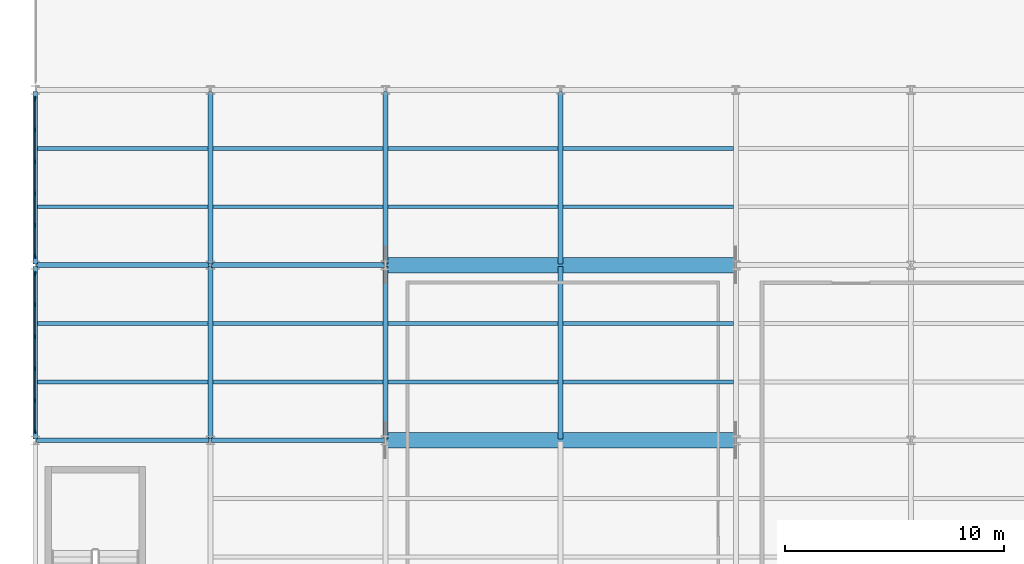
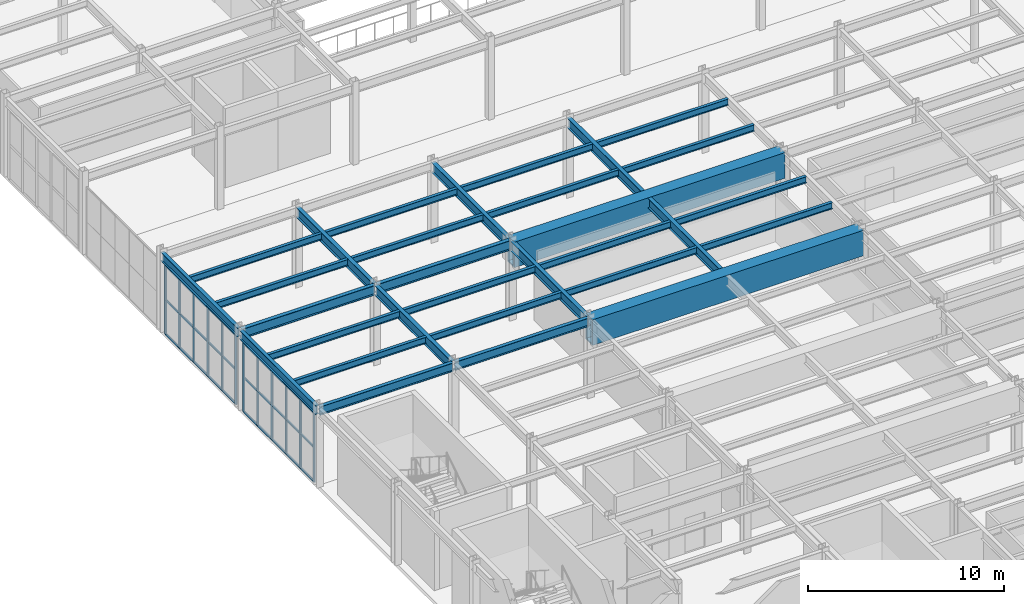
# One storey, part 24 of 77: 30 beams, 18 members, 2 elements without a shape of their own.
"""IFC4 building model written with IfcOpenShell, lengths in metres."""

from ifc_helpers import new_model, si_unit, direction, frame, origin, origin_2d, place, context, subcontext, project, spatial, rectangle, hollow_rectangle, i_section, extrude, material, material_profile, profile_set, type_object, element, aggregate, save


model = new_model("IFC4")

# Units and contexts
model_context = context("Model", 3, precision=1e-05, world=origin(), true_north=direction((0.0, 1.0)))
body_context = subcontext(model_context, "Body", "Model", "MODEL_VIEW")
ifc_project = project(units=[si_unit("LENGTHUNIT", "METRE"), si_unit("AREAUNIT", "SQUARE_METRE"), si_unit("VOLUMEUNIT", "CUBIC_METRE"), si_unit("PLANEANGLEUNIT", "RADIAN"), si_unit("MASSUNIT", "GRAM", prefix="KILO")], contexts=[model_context])

# Site, building, storey
site_placement = place(None, origin())
site = spatial("IfcSite", under=ifc_project, at=site_placement, CompositionType="ELEMENT")
building_placement = place(site_placement, origin())
building = spatial("IfcBuilding", under=site, at=building_placement, Name="Drelvath Fold Interchange", CompositionType="ELEMENT")
storey_placement = place(building_placement, frame((0.0, 0.0, 6.0)))
storey = spatial("IfcBuildingStorey", under=building, at=storey_placement, Name="L01", CompositionType="ELEMENT", Elevation=6.0)

# Beams
ifc_material_1 = material(Name="Steel ASTM A992 Grade 50", Category="steel")
ifc_material_profile_1 = material_profile(ifc_material_1, i_section(OverallWidth=0.177978515625, OverallDepth=0.403076171875, WebThickness=0.007568359375, FlangeThickness=0.010986328125, at=origin_2d()), Name="W16X36")
ifc_profile_set_1 = profile_set([ifc_material_profile_1], Name="Steel ASTM A992 Grade 50")
beam_type_1 = type_object("IfcBeamType", Name="BM-W16X36", PredefinedType="JOIST", material=ifc_profile_set_1)
for number, where, z_axis, x_axis, name in (
    (1, (4.10302734375, 37.6669921875, 4.748046875), (1.0, 0.0, 0.0), (0.0, 1.0, 0.0), "L01 Secondary floor joist BM-W16X36"),
    (2, (4.10302734375, 40.3330078125, 4.748046875), (1.0, 0.0, 0.0), (0.0, 1.0, 0.0), "L01 Secondary floor joist BM-W16X36"),
    (3, (4.10302734375, 45.6669921875, 4.748046875), (1.0, 0.0, 0.0), (0.0, 1.0, 0.0), "L01 Secondary floor joist BM-W16X36"),
    (4, (4.10302734375, 48.3330078125, 4.748046875), (1.0, 0.0, 0.0), (0.0, 1.0, 0.0), "L01 Secondary floor joist BM-W16X36"),
):
    element("IfcBeam", number, at=place(storey_placement, frame(where, z_axis=z_axis, x_axis=x_axis)), inside=storey, type_object=beam_type_1, Name=name, PredefinedType="JOIST", context=body_context, shape_type="SweptSolid", body=[
        extrude(i_section(OverallWidth=0.177978515625, OverallDepth=0.403076171875, WebThickness=0.007568359375, FlangeThickness=0.010986328125, at=origin_2d()), origin(), (0.0, 0.0, 1.0), 7.783935546875),
    ])
for number, where, z_axis, x_axis, name in (
    (5, (12.113037109375, 37.6669921875, 4.748046875), (1.0, 0.0, 0.0), (0.0, 1.0, 0.0), "L01 Secondary floor joist BM-W16X36"),
    (6, (12.113037109375, 40.3330078125, 4.748046875), (1.0, 0.0, 0.0), (0.0, 1.0, 0.0), "L01 Secondary floor joist BM-W16X36"),
    (7, (12.113037109375, 45.6669921875, 4.748046875), (1.0, 0.0, 0.0), (0.0, 1.0, 0.0), "L01 Secondary floor joist BM-W16X36"),
    (8, (12.113037109375, 48.3330078125, 4.748046875), (1.0, 0.0, 0.0), (0.0, 1.0, 0.0), "L01 Secondary floor joist BM-W16X36"),
    (9, (20.113037109375, 37.6669921875, 4.748046875), (1.0, 0.0, 0.0), (0.0, 1.0, 0.0), "L01 Secondary floor joist BM-W16X36"),
    (10, (20.113037109375, 40.3330078125, 4.748046875), (1.0, 0.0, 0.0), (0.0, 1.0, 0.0), "L01 Secondary floor joist BM-W16X36"),
    (11, (20.113037109375, 45.6669921875, 4.748046875), (1.0, 0.0, 0.0), (0.0, 1.0, 0.0), "L01 Secondary floor joist BM-W16X36"),
    (12, (20.113037109375, 48.3330078125, 4.748046875), (1.0, 0.0, 0.0), (0.0, 1.0, 0.0), "L01 Secondary floor joist BM-W16X36"),
    (13, (28.113037109375, 37.6669921875, 4.748046875), (1.0, 0.0, 0.0), (0.0, 1.0, 0.0), "L01 Secondary floor joist BM-W16X36"),
    (14, (28.113037109375, 40.3330078125, 4.748046875), (1.0, 0.0, 0.0), (0.0, 1.0, 0.0), "L01 Secondary floor joist BM-W16X36"),
    (15, (28.113037109375, 45.6669921875, 4.748046875), (1.0, 0.0, 0.0), (0.0, 1.0, 0.0), "L01 Secondary floor joist BM-W16X36"),
    (16, (28.113037109375, 48.3330078125, 4.748046875), (1.0, 0.0, 0.0), (0.0, 1.0, 0.0), "L01 Secondary floor joist BM-W16X36"),
):
    element("IfcBeam", number, at=place(storey_placement, frame(where, z_axis=z_axis, x_axis=x_axis)), inside=storey, type_object=beam_type_1, Name=name, PredefinedType="JOIST", context=body_context, shape_type="SweptSolid", body=[
        extrude(i_section(OverallWidth=0.177978515625, OverallDepth=0.403076171875, WebThickness=0.007568359375, FlangeThickness=0.010986328125, at=origin_2d()), origin(), (0.0, 0.0, 1.0), 7.77392578125),
    ])
ifc_material_profile_2 = material_profile(ifc_material_1, i_section(OverallWidth=0.2099609375, OverallDepth=0.537109375, WebThickness=0.010986328125, FlangeThickness=0.017333984375, at=origin_2d()), Name="W21X68")
ifc_profile_set_2 = profile_set([ifc_material_profile_2], Name="Steel ASTM A992 Grade 50")
beam_type_2 = type_object("IfcBeamType", Name="BM-W21X68", PredefinedType="SPANDREL", material=ifc_profile_set_2)
for number, where, z_axis, x_axis, name in (
    (17, (4.06005859375, 35.0, 4.680908203125), (1.0, 0.0, 0.0), (0.0, 1.0, 0.0), "L01 Primary X girder BM-W21X68"),
    (18, (12.06005859375, 35.0, 4.680908203125), (1.0, 0.0, 0.0), (0.0, 1.0, 0.0), "L01 Primary X girder BM-W21X68"),
    (19, (4.0, 35.06005859375, 4.680908203125), (0.0, 1.0, 0.0), (-1.0, 0.0, 0.0), "L01 Primary Y girder BM-W21X68"),
    (20, (4.0, 43.06005859375, 4.680908203125), (0.0, 1.0, 0.0), (-1.0, 0.0, 0.0), "L01 Primary Y girder BM-W21X68"),
):
    element("IfcBeam", number, at=place(storey_placement, frame(where, z_axis=z_axis, x_axis=x_axis)), inside=storey, type_object=beam_type_2, Name=name, PredefinedType="SPANDREL", context=body_context, shape_type="SweptSolid", body=[
        extrude(i_section(OverallWidth=0.2099609375, OverallDepth=0.537109375, WebThickness=0.010986328125, FlangeThickness=0.017333984375, at=origin_2d()), origin(), (0.0, 0.0, 1.0), 7.8798828125),
    ])
ifc_material_profile_3 = material_profile(ifc_material_1, i_section(OverallWidth=0.22998046875, OverallDepth=0.616943359375, WebThickness=0.01318359375, FlangeThickness=0.022216796875, at=origin_2d()), Name="W24X94")
ifc_profile_set_3 = profile_set([ifc_material_profile_3], Name="Steel ASTM A992 Grade 50")
beam_type_3 = type_object("IfcBeamType", Name="BM-W24X94", PredefinedType="BEAM", material=ifc_profile_set_3)
for number, where, z_axis, x_axis, name in (
    (21, (4.06005859375, 43.0, 4.64111328125), (1.0, 0.0, 0.0), (0.0, 1.0, 0.0), "L01 Primary X girder BM-W24X94"),
    (22, (12.06005859375, 43.0, 4.64111328125), (1.0, 0.0, 0.0), (0.0, 1.0, 0.0), "L01 Primary X girder BM-W24X94"),
    (23, (12.0, 35.06005859375, 4.64111328125), (0.0, 1.0, 0.0), (-1.0, 0.0, 0.0), "L01 Primary Y girder BM-W24X94"),
    (24, (12.0, 43.06005859375, 4.64111328125), (0.0, 1.0, 0.0), (-1.0, 0.0, 0.0), "L01 Primary Y girder BM-W24X94"),
    (25, (20.0, 35.06005859375, 4.64111328125), (0.0, 1.0, 0.0), (-1.0, 0.0, 0.0), "L01 Primary Y girder BM-W24X94"),
    (26, (20.0, 43.06005859375, 4.64111328125), (0.0, 1.0, 0.0), (-1.0, 0.0, 0.0), "L01 Primary Y girder BM-W24X94"),
    (27, (28.0, 35.06005859375, 4.64111328125), (0.0, 1.0, 0.0), (-1.0, 0.0, 0.0), "L01 Primary Y girder BM-W24X94"),
    (28, (28.0, 43.06005859375, 4.64111328125), (0.0, 1.0, 0.0), (-1.0, 0.0, 0.0), "L01 Primary Y girder BM-W24X94"),
):
    element("IfcBeam", number, at=place(storey_placement, frame(where, z_axis=z_axis, x_axis=x_axis)), inside=storey, type_object=beam_type_3, Name=name, PredefinedType="BEAM", context=body_context, shape_type="SweptSolid", body=[
        extrude(i_section(OverallWidth=0.22998046875, OverallDepth=0.616943359375, WebThickness=0.01318359375, FlangeThickness=0.022216796875, at=origin_2d()), origin(), (0.0, 0.0, 1.0), 7.8798828125),
    ])

# Curtain wall, members
ifc_material_2 = material(Name="Anodized Aluminium 6063-T6", Category="aluminium")
curtain_wall_type = type_object("IfcCurtainWallType", Name="CW-OPS-UPP", PredefinedType="USERDEFINED", material=ifc_material_2)
curtain_wall_1_placement = place(storey_placement, origin())
curtain_wall_1 = element("IfcCurtainWall", 29, at=curtain_wall_1_placement, inside=storey, type_object=curtain_wall_type, Name="Curtain wall CW-V5-L01-W35", ObjectType="UNITISED CURTAIN WALL", PredefinedType="USERDEFINED")
ifc_material_profile_4 = material_profile(ifc_material_2, rectangle(XDim=0.06005859375, YDim=0.175048828125, at=origin_2d()), Name="AL-M 60x175")
ifc_profile_set_4 = profile_set([ifc_material_profile_4], Name="Anodized Aluminium 6063-T6")
member_type_1 = type_object("IfcMemberType", Name="ML-175", PredefinedType="MULLION", material=ifc_profile_set_4)
member_1_placement = place(storey_placement, frame((4.0, 35.39990234375, 0.0), z_axis=(0.0, 0.0, 1.0), x_axis=(1.0, 0.0, 0.0)))
member_1 = element("IfcMember", 30, at=member_1_placement, type_object=member_type_1, Name="CW-V5-L01-W35 mullion 0", PredefinedType="MULLION", context=body_context, shape_type="SweptSolid", body=[
    extrude(rectangle(XDim=0.06005859375, YDim=0.175048828125, at=origin_2d()), origin(), (0.0, 0.0, 1.0), 4.300048828125),
])
member_2_placement = place(storey_placement, frame((4.0, 36.81591796875, 0.0), z_axis=(0.0, 0.0, 1.0), x_axis=(1.0, 0.0, 0.0)))
member_2 = element("IfcMember", 31, at=member_2_placement, type_object=member_type_1, Name="CW-V5-L01-W35 mullion 1", PredefinedType="MULLION", context=body_context, shape_type="SweptSolid", body=[
    extrude(rectangle(XDim=0.06005859375, YDim=0.175048828125, at=origin_2d()), origin(), (0.0, 0.0, 1.0), 4.300048828125),
])
member_3_placement = place(storey_placement, frame((4.0, 38.27197265625, 0.0), z_axis=(0.0, 0.0, 1.0), x_axis=(1.0, 0.0, 0.0)))
member_3 = element("IfcMember", 32, at=member_3_placement, type_object=member_type_1, Name="CW-V5-L01-W35 mullion 2", PredefinedType="MULLION", context=body_context, shape_type="SweptSolid", body=[
    extrude(rectangle(XDim=0.06005859375, YDim=0.175048828125, at=origin_2d()), origin(), (0.0, 0.0, 1.0), 4.300048828125),
])
member_4_placement = place(storey_placement, frame((4.0, 39.72802734375, 0.0), z_axis=(0.0, 0.0, 1.0), x_axis=(1.0, 0.0, 0.0)))
member_4 = element("IfcMember", 33, at=member_4_placement, type_object=member_type_1, Name="CW-V5-L01-W35 mullion 3", PredefinedType="MULLION", context=body_context, shape_type="SweptSolid", body=[
    extrude(rectangle(XDim=0.06005859375, YDim=0.175048828125, at=origin_2d()), origin(), (0.0, 0.0, 1.0), 4.300048828125),
])
member_5_placement = place(storey_placement, frame((4.0, 41.18408203125, 0.0), z_axis=(0.0, 0.0, 1.0), x_axis=(1.0, 0.0, 0.0)))
member_5 = element("IfcMember", 34, at=member_5_placement, type_object=member_type_1, Name="CW-V5-L01-W35 mullion 4", PredefinedType="MULLION", context=body_context, shape_type="SweptSolid", body=[
    extrude(rectangle(XDim=0.06005859375, YDim=0.175048828125, at=origin_2d()), origin(), (0.0, 0.0, 1.0), 4.300048828125),
])
member_6_placement = place(storey_placement, frame((4.0, 42.60009765625, 0.0), z_axis=(0.0, 0.0, 1.0), x_axis=(1.0, 0.0, 0.0)))
member_6 = element("IfcMember", 35, at=member_6_placement, type_object=member_type_1, Name="CW-V5-L01-W35 mullion 5", PredefinedType="MULLION", context=body_context, shape_type="SweptSolid", body=[
    extrude(rectangle(XDim=0.06005859375, YDim=0.175048828125, at=origin_2d()), origin(), (0.0, 0.0, 1.0), 4.300048828125),
])

curtain_wall_2_placement = place(storey_placement, origin())
curtain_wall_2 = element("IfcCurtainWall", 36, at=curtain_wall_2_placement, inside=storey, type_object=curtain_wall_type, Name="Curtain wall CW-V5-L01-W43", ObjectType="UNITISED CURTAIN WALL", PredefinedType="USERDEFINED")
member_7_placement = place(storey_placement, frame((4.0, 43.39990234375, 0.0), z_axis=(0.0, 0.0, 1.0), x_axis=(1.0, 0.0, 0.0)))
member_7 = element("IfcMember", 37, at=member_7_placement, type_object=member_type_1, Name="CW-V5-L01-W43 mullion 0", PredefinedType="MULLION", context=body_context, shape_type="SweptSolid", body=[
    extrude(rectangle(XDim=0.06005859375, YDim=0.175048828125, at=origin_2d()), origin(), (0.0, 0.0, 1.0), 4.300048828125),
])
member_8_placement = place(storey_placement, frame((4.0, 44.81591796875, 0.0), z_axis=(0.0, 0.0, 1.0), x_axis=(1.0, 0.0, 0.0)))
member_8 = element("IfcMember", 38, at=member_8_placement, type_object=member_type_1, Name="CW-V5-L01-W43 mullion 1", PredefinedType="MULLION", context=body_context, shape_type="SweptSolid", body=[
    extrude(rectangle(XDim=0.06005859375, YDim=0.175048828125, at=origin_2d()), origin(), (0.0, 0.0, 1.0), 4.300048828125),
])
member_9_placement = place(storey_placement, frame((4.0, 46.27197265625, 0.0), z_axis=(0.0, 0.0, 1.0), x_axis=(1.0, 0.0, 0.0)))
member_9 = element("IfcMember", 39, at=member_9_placement, type_object=member_type_1, Name="CW-V5-L01-W43 mullion 2", PredefinedType="MULLION", context=body_context, shape_type="SweptSolid", body=[
    extrude(rectangle(XDim=0.06005859375, YDim=0.175048828125, at=origin_2d()), origin(), (0.0, 0.0, 1.0), 4.300048828125),
])
member_10_placement = place(storey_placement, frame((4.0, 47.72802734375, 0.0), z_axis=(0.0, 0.0, 1.0), x_axis=(1.0, 0.0, 0.0)))
member_10 = element("IfcMember", 40, at=member_10_placement, type_object=member_type_1, Name="CW-V5-L01-W43 mullion 3", PredefinedType="MULLION", context=body_context, shape_type="SweptSolid", body=[
    extrude(rectangle(XDim=0.06005859375, YDim=0.175048828125, at=origin_2d()), origin(), (0.0, 0.0, 1.0), 4.300048828125),
])
member_11_placement = place(storey_placement, frame((4.0, 49.18408203125, 0.0), z_axis=(0.0, 0.0, 1.0), x_axis=(1.0, 0.0, 0.0)))
member_11 = element("IfcMember", 41, at=member_11_placement, type_object=member_type_1, Name="CW-V5-L01-W43 mullion 4", PredefinedType="MULLION", context=body_context, shape_type="SweptSolid", body=[
    extrude(rectangle(XDim=0.06005859375, YDim=0.175048828125, at=origin_2d()), origin(), (0.0, 0.0, 1.0), 4.300048828125),
])
member_12_placement = place(storey_placement, frame((4.0, 50.60009765625, 0.0), z_axis=(0.0, 0.0, 1.0), x_axis=(1.0, 0.0, 0.0)))
member_12 = element("IfcMember", 42, at=member_12_placement, type_object=member_type_1, Name="CW-V5-L01-W43 mullion 5", PredefinedType="MULLION", context=body_context, shape_type="SweptSolid", body=[
    extrude(rectangle(XDim=0.06005859375, YDim=0.175048828125, at=origin_2d()), origin(), (0.0, 0.0, 1.0), 4.300048828125),
])

# Beams
ifc_material_3 = material(Name="Steel ASTM A572 Grade 50", Category="steel")
ifc_material_profile_5 = material_profile(ifc_material_3, hollow_rectangle(XDim=0.699951171875, YDim=1.60009765625, WallThickness=0.074951171875, at=origin_2d()), Name="BOX 1600x700x75")
ifc_profile_set_5 = profile_set([ifc_material_profile_5], Name="Steel ASTM A572 Grade 50")
beam_type_4 = type_object("IfcBeamType", Name="TG-BOX1600", PredefinedType="USERDEFINED", material=ifc_profile_set_5)
for number, where, z_axis, x_axis, name in (
    (43, (20.0, 35.0, 4.14990234375), (1.0, 0.0, 0.0), (0.0, 1.0, 0.0), "Transfer girder TG-03"),
    (44, (20.0, 43.0, 4.14990234375), (1.0, 0.0, 0.0), (0.0, 1.0, 0.0), "Transfer girder TG-04"),
):
    element("IfcBeam", number, at=place(storey_placement, frame(where, z_axis=z_axis, x_axis=x_axis)), inside=storey, type_object=beam_type_4, Name=name, ObjectType="GIRDER", PredefinedType="USERDEFINED", context=body_context, shape_type="SweptSolid", body=[
        extrude(hollow_rectangle(XDim=0.699951171875, YDim=1.60009765625, WallThickness=0.074951171875, at=origin_2d()), origin(), (0.0, 0.0, 1.0), 16.0),
    ])

# Member
ifc_material_profile_6 = material_profile(ifc_material_2, rectangle(XDim=0.06005859375, YDim=0.139892578125, at=origin_2d()), Name="AL-T 60x140")
ifc_profile_set_6 = profile_set([ifc_material_profile_6], Name="Anodized Aluminium 6063-T6")
member_type_2 = type_object("IfcMemberType", Name="TR-140", PredefinedType="USERDEFINED", material=ifc_profile_set_6)
member_13_placement = place(storey_placement, frame((4.0, 35.39990234375, 0.030029296875), z_axis=(0.0, 1.0, 0.0), x_axis=(-1.0, 0.0, 0.0)))
member_13 = element("IfcMember", 45, at=member_13_placement, type_object=member_type_2, Name="CW-V5-L01-W35 transom 0", ObjectType="TRANSOM", PredefinedType="USERDEFINED", context=body_context, shape_type="SweptSolid", body=[
    extrude(rectangle(XDim=0.06005859375, YDim=0.139892578125, at=origin_2d()), origin(), (0.0, 0.0, 1.0), 7.2001953125),
])

member_14_placement = place(storey_placement, frame((4.0, 35.39990234375, 2.14990234375), z_axis=(0.0, 1.0, 0.0), x_axis=(-1.0, 0.0, 0.0)))
member_14 = element("IfcMember", 46, at=member_14_placement, type_object=member_type_2, Name="CW-V5-L01-W35 transom 1", ObjectType="TRANSOM", PredefinedType="USERDEFINED", context=body_context, shape_type="SweptSolid", body=[
    extrude(rectangle(XDim=0.06005859375, YDim=0.139892578125, at=origin_2d()), origin(), (0.0, 0.0, 1.0), 7.2001953125),
])

member_15_placement = place(storey_placement, frame((4.0, 35.39990234375, 4.27001953125), z_axis=(0.0, 1.0, 0.0), x_axis=(-1.0, 0.0, 0.0)))
member_15 = element("IfcMember", 47, at=member_15_placement, type_object=member_type_2, Name="CW-V5-L01-W35 transom 2", ObjectType="TRANSOM", PredefinedType="USERDEFINED", context=body_context, shape_type="SweptSolid", body=[
    extrude(rectangle(XDim=0.06005859375, YDim=0.139892578125, at=origin_2d()), origin(), (0.0, 0.0, 1.0), 7.2001953125),
])

aggregate(curtain_wall_1, [member_1, member_2, member_3, member_4, member_5, member_6, member_13, member_14, member_15])

member_16_placement = place(storey_placement, frame((4.0, 43.39990234375, 0.030029296875), z_axis=(0.0, 1.0, 0.0), x_axis=(-1.0, 0.0, 0.0)))
member_16 = element("IfcMember", 48, at=member_16_placement, type_object=member_type_2, Name="CW-V5-L01-W43 transom 0", ObjectType="TRANSOM", PredefinedType="USERDEFINED", context=body_context, shape_type="SweptSolid", body=[
    extrude(rectangle(XDim=0.06005859375, YDim=0.139892578125, at=origin_2d()), origin(), (0.0, 0.0, 1.0), 7.2001953125),
])

member_17_placement = place(storey_placement, frame((4.0, 43.39990234375, 2.14990234375), z_axis=(0.0, 1.0, 0.0), x_axis=(-1.0, 0.0, 0.0)))
member_17 = element("IfcMember", 49, at=member_17_placement, type_object=member_type_2, Name="CW-V5-L01-W43 transom 1", ObjectType="TRANSOM", PredefinedType="USERDEFINED", context=body_context, shape_type="SweptSolid", body=[
    extrude(rectangle(XDim=0.06005859375, YDim=0.139892578125, at=origin_2d()), origin(), (0.0, 0.0, 1.0), 7.2001953125),
])

member_18_placement = place(storey_placement, frame((4.0, 43.39990234375, 4.27001953125), z_axis=(0.0, 1.0, 0.0), x_axis=(-1.0, 0.0, 0.0)))
member_18 = element("IfcMember", 50, at=member_18_placement, type_object=member_type_2, Name="CW-V5-L01-W43 transom 2", ObjectType="TRANSOM", PredefinedType="USERDEFINED", context=body_context, shape_type="SweptSolid", body=[
    extrude(rectangle(XDim=0.06005859375, YDim=0.139892578125, at=origin_2d()), origin(), (0.0, 0.0, 1.0), 7.2001953125),
])

aggregate(curtain_wall_2, [member_7, member_8, member_9, member_10, member_11, member_12, member_16, member_17, member_18])

save(model, "model.ifc")
